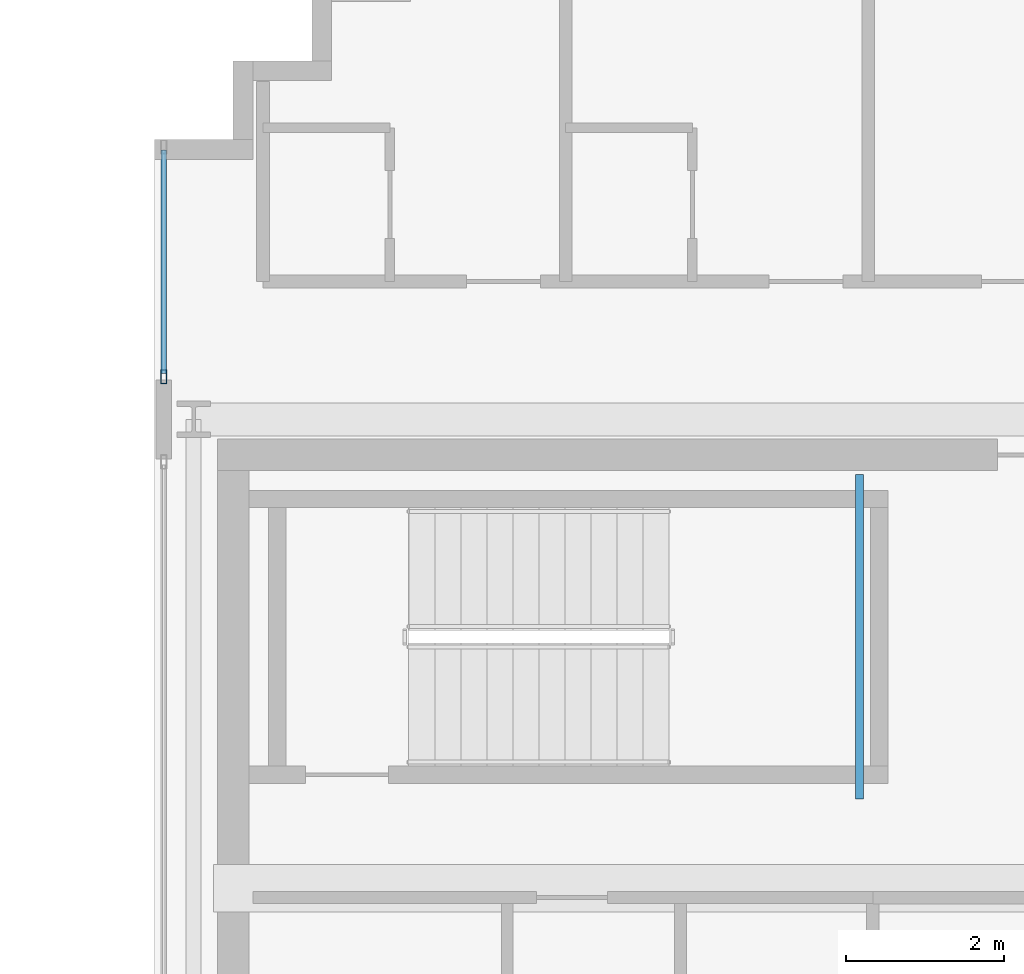
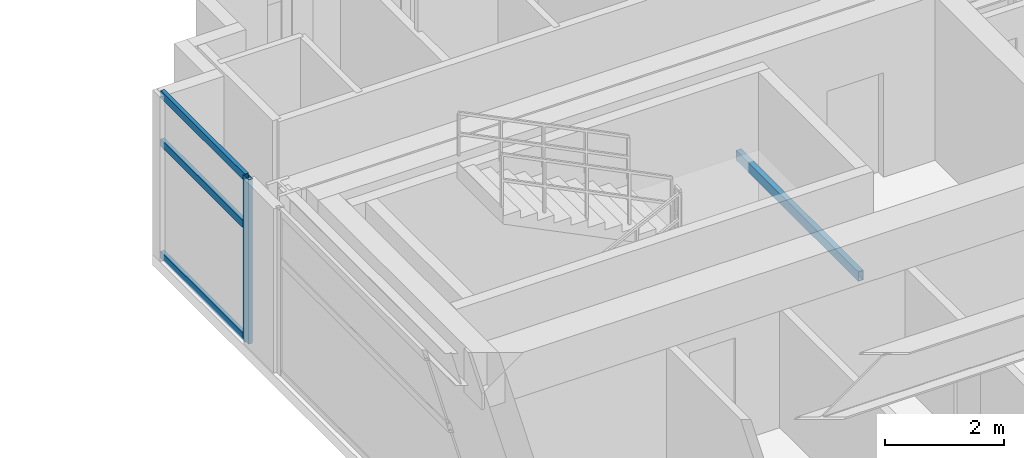
# One storey, part 13 of 25: 4 members, 1 beam, 1 element without a shape of its own.
"""IFC4 building model written with IfcOpenShell, lengths in metres."""

from ifc_helpers import new_model, si_unit, direction, frame, origin, origin_2d, place, context, subcontext, project, spatial, hollow_rectangle, extrude, source, transform, mapped, material, layer, layer_set, material_profile, profile_set, type_object, element, aggregate, save


model = new_model("IFC4")

# Units and contexts
model_context = context("Model", 3, precision=1e-05, world=origin(), true_north=direction((0.0, 1.0)))
body_context = subcontext(model_context, "Body", "Model", "MODEL_VIEW")
ifc_project = project(units=[si_unit("LENGTHUNIT", "METRE"), si_unit("AREAUNIT", "SQUARE_METRE"), si_unit("VOLUMEUNIT", "CUBIC_METRE"), si_unit("PLANEANGLEUNIT", "RADIAN"), si_unit("MASSUNIT", "GRAM", prefix="KILO")], contexts=[model_context])

# Site, building, storey
site_placement = place(None, origin())
site = spatial("IfcSite", under=ifc_project, at=site_placement, CompositionType="ELEMENT")
building_placement = place(site_placement, origin())
building = spatial("IfcBuilding", under=site, at=building_placement, Name="Ocotamira Hotel", CompositionType="ELEMENT")
storey_placement = place(building_placement, frame((0.0, 0.0, 265.199951171875)))
storey = spatial("IfcBuildingStorey", under=building, at=storey_placement, Name="L67", CompositionType="ELEMENT", Elevation=265.199951171875)

# Beam
ifc_material_1 = material(Name="Steel ASTM A500 Grade C", Category="steel")
ifc_material_profile_1 = material_profile(ifc_material_1, hollow_rectangle(XDim=0.10009765625, YDim=0.199951171875, WallThickness=0.008056640625, at=origin_2d()), Name="HSS200X100X8")
ifc_profile_set_1 = profile_set([ifc_material_profile_1], Name="Steel ASTM A500 Grade C")
beam_type = type_object("IfcBeamType", Name="BM-STLDG-HSS200", PredefinedType="BEAM", material=ifc_profile_set_1)
shared_shape_1 = source(origin(), body_context, "Body", "SweptSolid", [
    extrude(hollow_rectangle(XDim=0.10009765625, YDim=0.199951171875, WallThickness=0.008056640625, at=origin_2d()), origin(), (0.0, 0.0, 1.0), 4.1201171875),
])
beam_placement = place(storey_placement, frame((48.949951171875, 32.6298828125, 1.5), z_axis=(0.0, 1.0, 0.0), x_axis=(-1.0, 0.0, 0.0)))
element("IfcBeam", 1, at=beam_placement, inside=storey, type_object=beam_type, Name="L67 Stair ST-4 Landing Bearer 1", PredefinedType="BEAM", context=body_context, shape_type="MappedRepresentation", body=[
    mapped(shared_shape_1, transform((0.0, 0.0, 0.0), scale=1.0)),
])

# Curtain wall, members
ifc_material_2 = material(Name="Anodised pale-metal aluminium and solar glass", Category="aluminium")
ifc_layer = layer(ifc_material_2, 0.2099609375)
ifc_layer_set = layer_set([ifc_layer], Name="Anodised pale-metal aluminium and solar glass")
curtain_wall_type = type_object("IfcCurtainWallType", Name="CW-SYS7-PEAK", PredefinedType="NOTDEFINED", material=ifc_layer_set)
curtain_wall_placement = place(storey_placement, origin())
curtain_wall = element("IfcCurtainWall", 2, at=curtain_wall_placement, inside=storey, type_object=curtain_wall_type, Name="L67 Curtain Wall CW-7 CW-L67-EI4", PredefinedType="NOTDEFINED")
ifc_material_3 = material(Name="Anodised pale-metal aluminium 6063-T6", Category="aluminium")
ifc_material_profile_2 = material_profile(ifc_material_3, hollow_rectangle(XDim=0.080078125, YDim=0.179931640625, WallThickness=0.006103515625, at=origin_2d()), Name="HSS180X80X6")
ifc_profile_set_2 = profile_set([ifc_material_profile_2], Name="Anodised pale-metal aluminium 6063-T6")
member_type_1 = type_object("IfcMemberType", Name="CWM-180X75", PredefinedType="MULLION", material=ifc_profile_set_2)
shared_shape_2 = source(origin(), body_context, "Body", "SweptSolid", [
    extrude(hollow_rectangle(XDim=0.080078125, YDim=0.179931640625, WallThickness=0.006103515625, at=origin_2d()), origin(), (0.0, 0.0, 1.0), 3.380126953125),
])
member_1_placement = place(storey_placement, frame((40.1201171875, 37.989990234375, 0.0), z_axis=(0.0, 0.0, 1.0), x_axis=(-1.0, 0.0, 0.0)))
member_1 = element("IfcMember", 3, at=member_1_placement, type_object=member_type_1, Name="CW-7 mullion 1", PredefinedType="MULLION", context=body_context, shape_type="MappedRepresentation", body=[
    mapped(shared_shape_2, transform((0.0, 0.0, 0.0), scale=1.0)),
])
ifc_material_profile_3 = material_profile(ifc_material_3, hollow_rectangle(XDim=0.074951171875, YDim=0.14990234375, WallThickness=0.006103515625, at=origin_2d()), Name="HSS150X75X6")
ifc_profile_set_3 = profile_set([ifc_material_profile_3], Name="Anodised pale-metal aluminium 6063-T6")
member_type_2 = type_object("IfcMemberType", Name="CWT-150X75", PredefinedType="USERDEFINED", material=ifc_profile_set_3)
shared_shape_3 = source(origin(), body_context, "Body", "SweptSolid", [
    extrude(hollow_rectangle(XDim=0.074951171875, YDim=0.14990234375, WallThickness=0.006103515625, at=origin_2d()), origin(), (0.0, 0.0, 1.0), 2.840087890625),
])
member_2_placement = place(storey_placement, frame((40.1201171875, 38.030029296875, 0.03759765625), z_axis=(0.0, 1.0, 0.0), x_axis=(-1.0, 0.0, 0.0)))
member_2 = element("IfcMember", 4, at=member_2_placement, type_object=member_type_2, Name="CW-7 transom 1.1", ObjectType="TRANSOM", PredefinedType="USERDEFINED", context=body_context, shape_type="MappedRepresentation", body=[
    mapped(shared_shape_3, transform((0.0, 0.0, 0.0), scale=1.0)),
])
member_3_placement = place(storey_placement, frame((40.1201171875, 38.030029296875, 2.35009765625), z_axis=(0.0, 1.0, 0.0), x_axis=(-1.0, 0.0, 0.0)))
member_3 = element("IfcMember", 5, at=member_3_placement, type_object=member_type_2, Name="CW-7 transom 1.2", ObjectType="TRANSOM", PredefinedType="USERDEFINED", context=body_context, shape_type="MappedRepresentation", body=[
    mapped(shared_shape_3, transform((0.0, 0.0, 0.0), scale=1.0)),
])
member_4_placement = place(storey_placement, frame((40.1201171875, 38.030029296875, 3.342529296875), z_axis=(0.0, 1.0, 0.0), x_axis=(-1.0, 0.0, 0.0)))
member_4 = element("IfcMember", 6, at=member_4_placement, type_object=member_type_2, Name="CW-7 transom 1.3", ObjectType="TRANSOM", PredefinedType="USERDEFINED", context=body_context, shape_type="MappedRepresentation", body=[
    mapped(shared_shape_3, transform((0.0, 0.0, 0.0), scale=1.0)),
])
aggregate(curtain_wall, [member_1, member_2, member_3, member_4])

save(model, "model.ifc")
